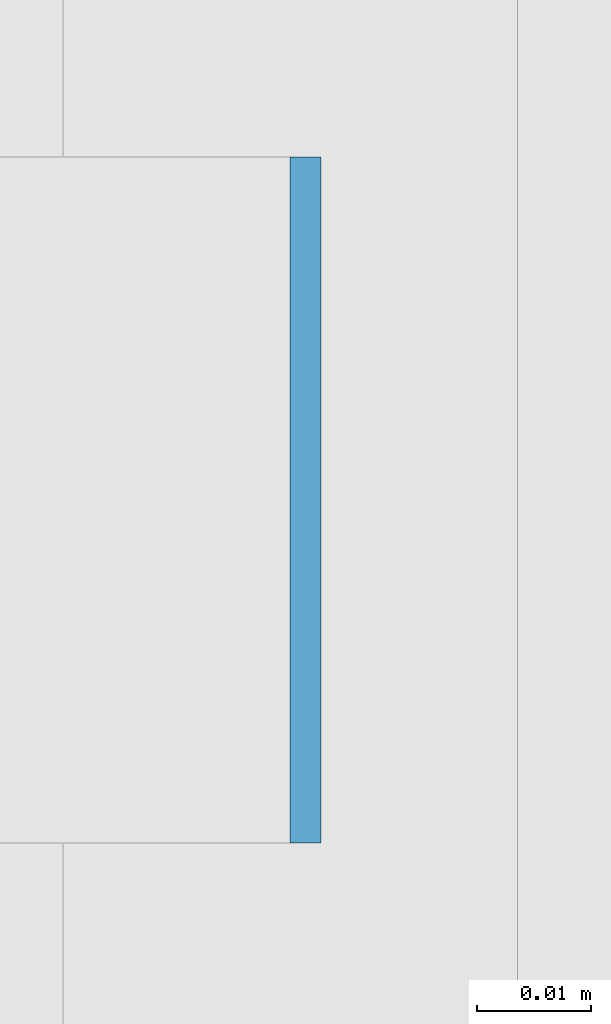
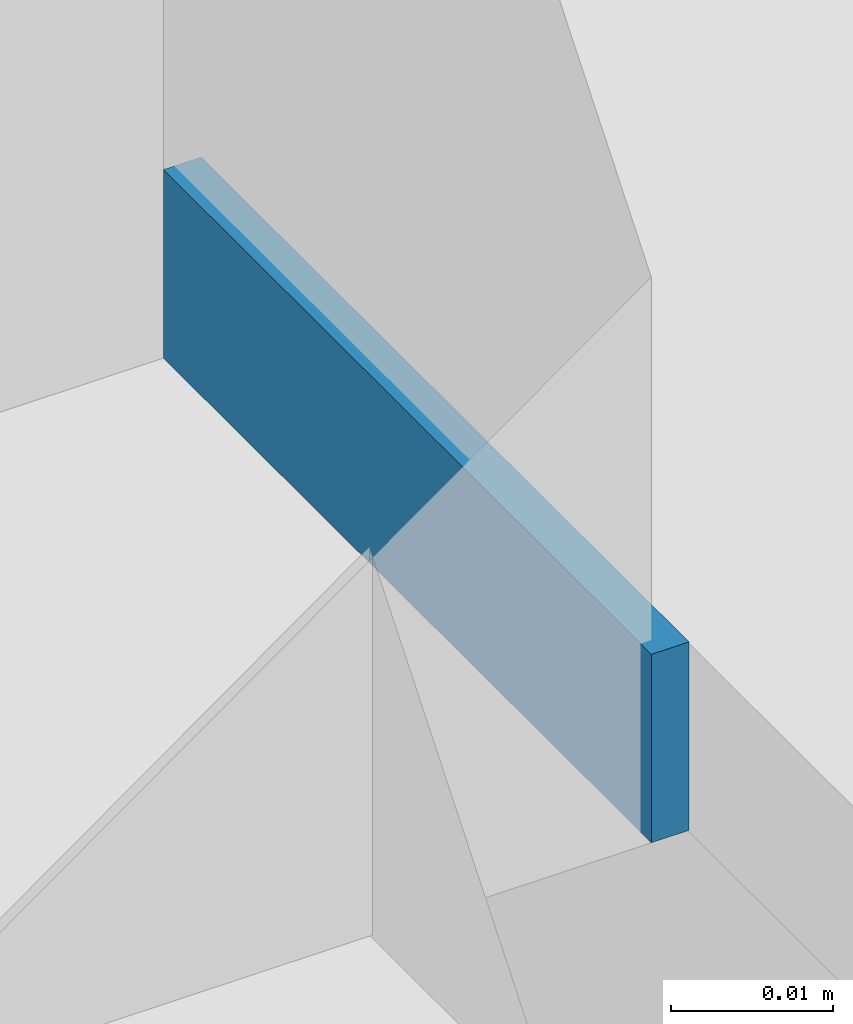
# One storey, part 312 of 646: 1 discrete accessory.
"""IFC4 building model written with IfcOpenShell, lengths in metres."""

from ifc_helpers import new_model, si_unit, direction, frame, origin, origin_2d, place, context, subcontext, project, spatial, rectangle, extrude, material, type_object, element, save


model = new_model("IFC4")

# Units and contexts
model_context = context("Model", 3, precision=1e-05, world=origin(), true_north=direction((0.0, 1.0)))
body_context = subcontext(model_context, "Body", "Model", "MODEL_VIEW")
ifc_project = project(units=[si_unit("LENGTHUNIT", "METRE"), si_unit("AREAUNIT", "SQUARE_METRE"), si_unit("VOLUMEUNIT", "CUBIC_METRE"), si_unit("PLANEANGLEUNIT", "RADIAN"), si_unit("MASSUNIT", "GRAM", prefix="KILO")], contexts=[model_context])

# Site, building, storey
site_placement = place(None, origin())
site = spatial("IfcSite", under=ifc_project, at=site_placement, CompositionType="ELEMENT")
building_placement = place(site_placement, origin())
building = spatial("IfcBuilding", under=site, at=building_placement, Name="Silverbay Arena", CompositionType="ELEMENT")
storey_placement = place(building_placement, frame((0.0, 0.0, 33.5)))
storey = spatial("IfcBuildingStorey", under=building, at=storey_placement, Name="L05", CompositionType="ELEMENT", Elevation=33.5)

# Discrete accessory
ifc_material = material(Name="Steel S355", Category="steel")
discrete_accessory_type = type_object("IfcDiscreteAccessoryType", Name="Steel bracket plate", PredefinedType="BRACKET", material=ifc_material)
discrete_accessory_placement = place(storey_placement, frame((53.871337890625, 69.428466796875, 4.0), z_axis=(0.0, 0.0, 1.0), x_axis=(1.0, 0.0, 0.0)))
element("IfcDiscreteAccessory", 1, at=discrete_accessory_placement, inside=storey, type_object=discrete_accessory_type, Name="Curtain wall packing plate", PredefinedType="BRACKET", context=body_context, shape_type="SweptSolid", body=[
    extrude(rectangle(XDim=0.002685546875, YDim=0.06005859375, at=origin_2d()), origin(), (0.0, 0.0, 1.0), 0.01416015625),
])

save(model, "model.ifc")
